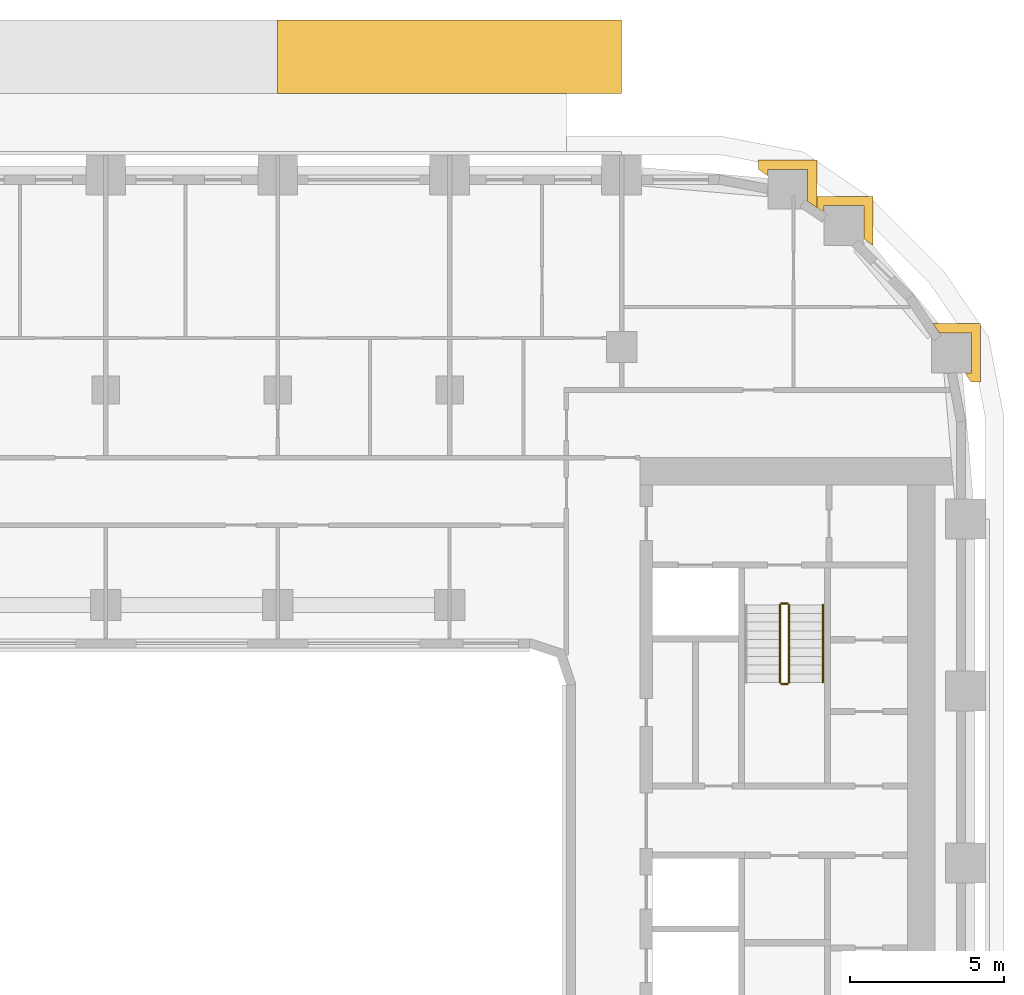
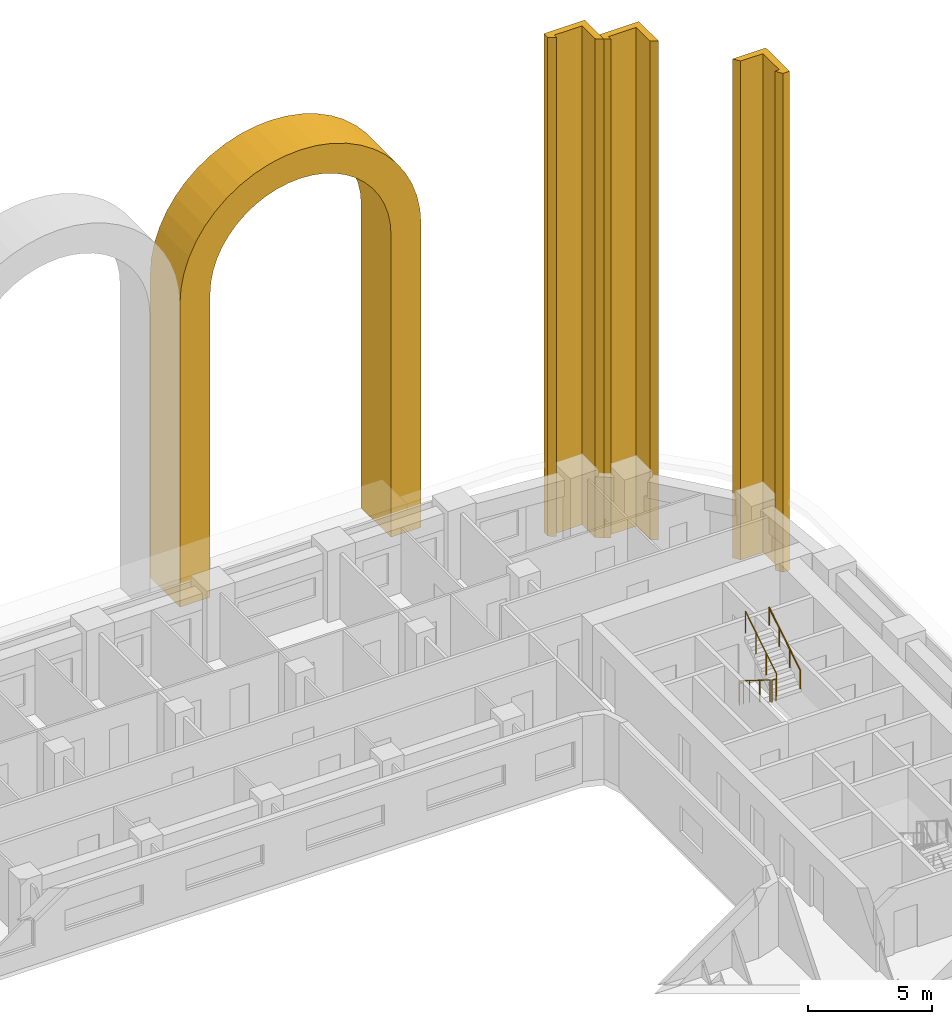
# One storey, part 19 of 19: 5 railings, 4 coverings.
"""IFC4 building model written with IfcOpenShell, lengths in metres."""

from ifc_helpers import new_model, si_unit, direction, frame, origin, origin_2d, place, context, subcontext, project, spatial, polyline, circle, outline, extrude, material, layer, layer_set, type_object, element, save


model = new_model("IFC4")

# Units and contexts
model_context = context("Model", 3, precision=1e-05, world=origin(), true_north=direction((0.0, 1.0)))
body_context = subcontext(model_context, "Body", "Model", "MODEL_VIEW")
ifc_project = project(units=[si_unit("LENGTHUNIT", "METRE"), si_unit("AREAUNIT", "SQUARE_METRE"), si_unit("VOLUMEUNIT", "CUBIC_METRE"), si_unit("PLANEANGLEUNIT", "RADIAN"), si_unit("MASSUNIT", "GRAM", prefix="KILO")], contexts=[model_context])

# Site, building, storey
site_placement = place(None, origin())
site = spatial("IfcSite", under=ifc_project, at=site_placement, CompositionType="ELEMENT")
building_placement = place(site_placement, origin())
building = spatial("IfcBuilding", under=site, at=building_placement, Name="Kiln Ring Residences", CompositionType="ELEMENT")
storey_placement = place(building_placement, frame((0.0, 0.0, 83.300048828125)))
storey = spatial("IfcBuildingStorey", under=building, at=storey_placement, Name="L20", CompositionType="ELEMENT", Elevation=83.300048828125)

# Covering
ifc_material_1 = material(Name="Brick masonry, dark clay brick", Category="masonry")
ifc_layer_1 = layer(ifc_material_1, 1.39990234375)
ifc_layer_set_1 = layer_set([ifc_layer_1], Name="ARCH SURROUND 2400")
covering_type_1 = type_object("IfcCoveringType", Name="ARCH SURROUND 2400", PredefinedType="CLADDING", material=ifc_layer_set_1)
covering_1_placement = place(storey_placement, frame((5.60009765625, 26.25, 0.5), z_axis=(0.0, 0.0, 1.0), x_axis=(1.0, 0.0, 0.0)))
element("IfcCovering", 1, at=covering_1_placement, inside=storey, type_object=covering_type_1, Name="ARCH SURROUND Z2 N1.3", PredefinedType="CLADDING", context=body_context, shape_type="SweptSolid", body=[
    extrude(outline(polyline([(0.0, 0.0), (0.0, 14.89990234375), (0.0478515625, 15.630859375), (0.19091796875, 16.349365234375), (0.42626953125, 17.04296875), (0.750244140625, 17.699951171875), (1.1572265625, 18.30908203125), (1.64013671875, 18.85986328125), (2.19091796875, 19.3427734375), (2.800048828125, 19.749755859375), (3.45703125, 20.07373046875), (4.150634765625, 20.30908203125), (4.869140625, 20.4521484375), (5.60009765625, 20.5), (6.330810546875, 20.4521484375), (7.04931640625, 20.30908203125), (7.742919921875, 20.07373046875), (8.39990234375, 19.749755859375), (9.009033203125, 19.3427734375), (9.559814453125, 18.85986328125), (10.042724609375, 18.30908203125), (10.44970703125, 17.699951171875), (10.773681640625, 17.04296875), (11.00927734375, 16.349365234375), (11.152099609375, 15.630859375), (11.199951171875, 14.89990234375), (11.199951171875, 0.0), (9.800048828125, 0.0), (9.800048828125, 14.89990234375), (9.76416015625, 15.4482421875), (9.656982421875, 15.987060546875), (9.480224609375, 16.50732421875), (9.2373046875, 17.0), (8.93212890625, 17.456787109375), (8.56982421875, 17.869873046875), (8.15673828125, 18.23193359375), (7.699951171875, 18.537353515625), (7.207275390625, 18.7802734375), (6.68701171875, 18.956787109375), (6.148193359375, 19.06396484375), (5.60009765625, 19.099853515625), (5.0517578125, 19.06396484375), (4.512939453125, 18.956787109375), (3.99267578125, 18.7802734375), (3.5, 18.537353515625), (3.043212890625, 18.23193359375), (2.630126953125, 17.869873046875), (2.267822265625, 17.456787109375), (1.962646484375, 17.0), (1.7197265625, 16.50732421875), (1.543212890625, 15.987060546875), (1.435791015625, 15.4482421875), (1.39990234375, 14.89990234375), (1.39990234375, 0.0), (0.0, 0.0)])), frame((0.0, 1.199951171875, 0.0), z_axis=(0.0, -1.0, 0.0), x_axis=(1.0, 0.0, 0.0)), (0.0, 0.0, 1.0), 2.39990234375),
])

# Railings
ifc_material_2 = material(Name="Stainless steel", Category="steel")
railing_type_1 = type_object("IfcRailingType", Name="CORE-STAIR-GUARD", PredefinedType="GUARDRAIL", material=ifc_material_2)
railing_1_placement = place(storey_placement, frame((21.949951171875, 8.39990234375, 0.175048828125)))
element("IfcRailing", 2, at=railing_1_placement, inside=storey, type_object=railing_type_1, Name="L20 E-STN stair guard 1", PredefinedType="GUARDRAIL", context=body_context, shape_type="SweptSolid", body=[
    extrude(circle(Radius=0.02392578125, at=origin_2d()), frame((0.0, 0.0, 1.076171875), z_axis=(0.0, -0.848007534815, 0.529984170421), x_axis=(1.0, 0.0, 0.0)), (0.0, 0.0, 1.0), 2.9716796875),
    extrude(circle(Radius=0.02099609375, at=origin_2d()), origin(), (0.0, 0.0, 1.0), 1.052001953125),
    extrude(circle(Radius=0.02099609375, at=origin_2d()), frame((0.0, -0.840087890625, 0.52490234375)), (0.0, 0.0, 1.0), 1.052001953125),
    extrude(circle(Radius=0.02099609375, at=origin_2d()), frame((0.0, -1.679931640625, 1.050048828125)), (0.0, 0.0, 1.0), 1.052001953125),
    extrude(circle(Radius=0.02099609375, at=origin_2d()), frame((0.0, -2.52001953125, 1.574951171875)), (0.0, 0.0, 1.0), 1.052001953125),
])
railing_2_placement = place(storey_placement, frame((22.0, 5.830078125, 1.75)))
element("IfcRailing", 3, at=railing_2_placement, inside=storey, type_object=railing_type_1, Name="L20 E-STN stair guard 2", PredefinedType="GUARDRAIL", context=body_context, shape_type="SweptSolid", body=[
    extrude(circle(Radius=0.02392578125, at=origin_2d()), frame((0.0, 0.0, 1.076171875), z_axis=(1.0, 0.0, 0.0), x_axis=(0.0, 1.0, 0.0)), (0.0, 0.0, 1.0), 0.199951171875),
    extrude(circle(Radius=0.02099609375, at=origin_2d()), origin(), (0.0, 0.0, 1.0), 1.052001953125),
    extrude(circle(Radius=0.02099609375, at=origin_2d()), frame((0.199951171875, 0.0, 0.0)), (0.0, 0.0, 1.0), 1.052001953125),
])
railing_3_placement = place(storey_placement, frame((22.25, 5.8798828125, 1.925048828125)))
element("IfcRailing", 4, at=railing_3_placement, inside=storey, type_object=railing_type_1, Name="L20 E-STN stair guard 3", PredefinedType="GUARDRAIL", context=body_context, shape_type="SweptSolid", body=[
    extrude(circle(Radius=0.02392578125, at=origin_2d()), frame((0.0, 0.0, 1.076171875), z_axis=(0.0, 0.848007534815, 0.529984170421), x_axis=(-1.0, 0.0, 0.0)), (0.0, 0.0, 1.0), 2.9716796875),
    extrude(circle(Radius=0.02099609375, at=origin_2d()), origin(), (0.0, 0.0, 1.0), 1.052001953125),
    extrude(circle(Radius=0.02099609375, at=origin_2d()), frame((0.0, 0.840087890625, 0.52490234375)), (0.0, 0.0, 1.0), 1.052001953125),
    extrude(circle(Radius=0.02099609375, at=origin_2d()), frame((0.0, 1.679931640625, 1.050048828125)), (0.0, 0.0, 1.0), 1.052001953125),
    extrude(circle(Radius=0.02099609375, at=origin_2d()), frame((0.0, 2.52001953125, 1.574951171875)), (0.0, 0.0, 1.0), 1.052001953125),
])
railing_4_placement = place(storey_placement, frame((22.0, 8.449951171875, 0.0)))
element("IfcRailing", 5, at=railing_4_placement, inside=storey, type_object=railing_type_1, Name="L20 E-STN stair guard 4", PredefinedType="GUARDRAIL", context=body_context, shape_type="SweptSolid", body=[
    extrude(circle(Radius=0.02392578125, at=origin_2d()), frame((0.0, 0.0, 1.076171875), z_axis=(1.0, 0.0, 0.0), x_axis=(0.0, 1.0, 0.0)), (0.0, 0.0, 1.0), 0.199951171875),
    extrude(circle(Radius=0.02099609375, at=origin_2d()), origin(), (0.0, 0.0, 1.0), 1.052001953125),
    extrude(circle(Radius=0.02099609375, at=origin_2d()), frame((0.199951171875, 0.0, 0.0)), (0.0, 0.0, 1.0), 1.052001953125),
])
ifc_material_3 = material(Name="Stainless steel", Category="steel")
railing_type_2 = type_object("IfcRailingType", Name="CORE-STAIR-HANDRAIL", PredefinedType="HANDRAIL", material=ifc_material_3)
railing_5_placement = place(storey_placement, frame((23.35009765625, 5.8798828125, 1.925048828125)))
element("IfcRailing", 6, at=railing_5_placement, inside=storey, type_object=railing_type_2, Name="L20 E-STN stair handrail 2", PredefinedType="HANDRAIL", context=body_context, shape_type="SweptSolid", body=[
    extrude(circle(Radius=0.02392578125, at=origin_2d()), frame((0.0, 0.0, 0.8759765625), z_axis=(0.0, 0.848007534815, 0.529984170421), x_axis=(-1.0, 0.0, 0.0)), (0.0, 0.0, 1.0), 2.9716796875),
    extrude(circle(Radius=0.02099609375, at=origin_2d()), origin(), (0.0, 0.0, 1.0), 0.851806640625),
    extrude(circle(Radius=0.02099609375, at=origin_2d()), frame((0.0, 0.840087890625, 0.52490234375)), (0.0, 0.0, 1.0), 0.851806640625),
    extrude(circle(Radius=0.02099609375, at=origin_2d()), frame((0.0, 1.679931640625, 1.050048828125)), (0.0, 0.0, 1.0), 0.851806640625),
    extrude(circle(Radius=0.02099609375, at=origin_2d()), frame((0.0, 2.52001953125, 1.574951171875)), (0.0, 0.0, 1.0), 0.851806640625),
])

# Coverings
ifc_material_4 = material(Name="Brick masonry, dark clay brick", Category="masonry")
ifc_layer_2 = layer(ifc_material_4, 0.300048828125)
ifc_layer_set_2 = layer_set([ifc_layer_2], Name="PIER CLADDING 300")
covering_type_2 = type_object("IfcCoveringType", Name="PIER CLADDING 300", PredefinedType="CLADDING", material=ifc_layer_set_2)
placement = place(storey_placement, origin())
element("IfcCovering", 7, at=placement, inside=storey, type_object=covering_type_2, Name="PIER CLADDING L20-L26", PredefinedType="CLADDING", context=body_context, shape_type="SweptSolid", body=[
    extrude(outline(polyline([(28.488037109375, 15.65869140625), (28.488037109375, 17.55859375), (26.940673828125, 17.55859375), (27.144287109375, 17.2587890625), (28.18798828125, 17.2587890625), (28.18798828125, 15.958740234375), (27.97998046875, 15.958740234375), (28.18359375, 15.65869140625), (28.488037109375, 15.65869140625)])), origin(), (0.0, 0.0, 1.0), 24.5),
])
element("IfcCovering", 8, at=placement, inside=storey, type_object=covering_type_2, Name="PIER CLADDING L20-L26", PredefinedType="CLADDING", context=body_context, shape_type="SweptSolid", body=[
    extrude(outline(polyline([(24.990234375, 21.709716796875), (23.090087890625, 21.709716796875), (23.090087890625, 21.405517578125), (23.39013671875, 21.20166015625), (23.39013671875, 21.409912109375), (24.690185546875, 21.409912109375), (24.690185546875, 20.318115234375), (24.990234375, 20.1142578125), (24.990234375, 21.709716796875)])), origin(), (0.0, 0.0, 1.0), 24.5),
])
element("IfcCovering", 9, at=placement, inside=storey, type_object=covering_type_2, Name="PIER CLADDING L20-L26", PredefinedType="CLADDING", context=body_context, shape_type="SweptSolid", body=[
    extrude(outline(polyline([(23.15869140625, 22.88818359375), (21.2587890625, 22.88818359375), (21.2587890625, 22.583740234375), (21.55859375, 22.3798828125), (21.55859375, 22.588134765625), (22.858642578125, 22.588134765625), (22.858642578125, 21.54443359375), (23.15869140625, 21.340576171875), (23.15869140625, 22.88818359375)])), origin(), (0.0, 0.0, 1.0), 24.5),
])

save(model, "model.ifc")
